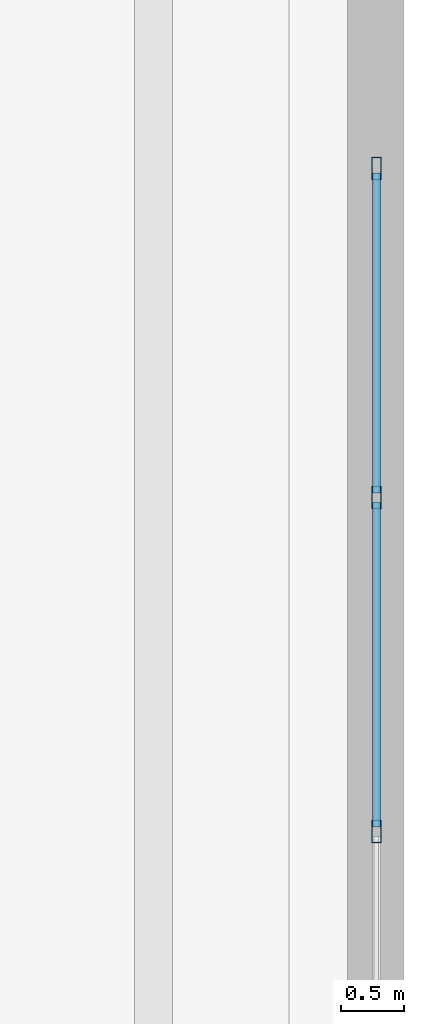
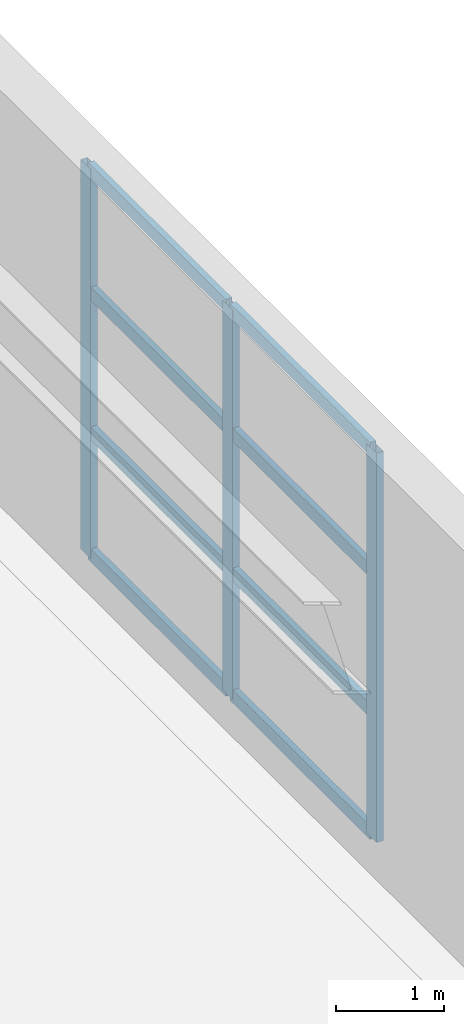
# One storey, part 16 of 35: 11 members, 1 element without a shape of its own.
"""IFC4 building model written with IfcOpenShell, lengths in metres."""

from ifc_helpers import new_model, si_unit, direction, frame, origin, origin_2d, place, context, subcontext, project, spatial, hollow_rectangle, extrude, material, layer, layer_set, material_profile, profile_set, type_object, element, aggregate, save


model = new_model("IFC4")

# Units and contexts
model_context = context("Model", 3, precision=1e-05, world=origin(), true_north=direction((0.0, 1.0)))
body_context = subcontext(model_context, "Body", "Model", "MODEL_VIEW")
ifc_project = project(units=[si_unit("LENGTHUNIT", "METRE"), si_unit("AREAUNIT", "SQUARE_METRE"), si_unit("VOLUMEUNIT", "CUBIC_METRE"), si_unit("PLANEANGLEUNIT", "RADIAN"), si_unit("MASSUNIT", "GRAM", prefix="KILO")], contexts=[model_context])

# Site, building, storey
site_placement = place(None, origin())
site = spatial("IfcSite", under=ifc_project, at=site_placement, CompositionType="ELEMENT")
building_placement = place(site_placement, origin())
building = spatial("IfcBuilding", under=site, at=building_placement, Name="Qiaolan Cultural Towers", CompositionType="ELEMENT")
storey_placement = place(building_placement, frame((0.0, 0.0, 11.5)))
storey = spatial("IfcBuildingStorey", under=building, at=storey_placement, Name="L02", CompositionType="ELEMENT", Elevation=11.5)

# Curtain wall, members
ifc_material_1 = material(Name="Unitized Anodized Aluminium Curtain Wall System", Category="aluminium")
ifc_layer = layer(ifc_material_1, 0.199951171875)
ifc_layer_set = layer_set([ifc_layer], Name="Unitized Anodized Aluminium Curtain Wall System")
curtain_wall_type = type_object("IfcCurtainWallType", Name="CWS-04", PredefinedType="NOTDEFINED", material=ifc_layer_set)
curtain_wall_placement = place(storey_placement, origin())
curtain_wall = element("IfcCurtainWall", 1, at=curtain_wall_placement, inside=storey, type_object=curtain_wall_type, Name="L02 East Exhibition Foyer Curtain Wall", PredefinedType="NOTDEFINED")
ifc_material_2 = material(Name="Extruded Aluminium 6063-T6", Category="aluminium")
ifc_material_profile_1 = material_profile(ifc_material_2, hollow_rectangle(XDim=0.074951171875, YDim=0.179931640625, WallThickness=0.00390625, at=origin_2d()), Name="CWM-180x75x4")
ifc_profile_set_1 = profile_set([ifc_material_profile_1], Name="Extruded Aluminium 6063-T6")
member_type_1 = type_object("IfcMemberType", Name="CWS-04-MUL", PredefinedType="MULLION", material=ifc_profile_set_1)
member_1_placement = place(storey_placement, frame((119.780029296875, 32.666748046875, 0.14990234375), z_axis=(0.0, 0.0, 1.0), x_axis=(-1.0, 0.0, 0.0)))
member_1 = element("IfcMember", 2, at=member_1_placement, type_object=member_type_1, Name="CW-4 mullion 2", PredefinedType="MULLION", context=body_context, shape_type="SweptSolid", body=[
    extrude(hollow_rectangle(XDim=0.074951171875, YDim=0.179931640625, WallThickness=0.00390625, at=origin_2d()), origin(), (0.0, 0.0, 1.0), 4.400146484375),
])
member_2_placement = place(storey_placement, frame((119.780029296875, 35.333251953125, 0.14990234375), z_axis=(0.0, 0.0, 1.0), x_axis=(-1.0, 0.0, 0.0)))
member_2 = element("IfcMember", 3, at=member_2_placement, type_object=member_type_1, Name="CW-4 mullion 3", PredefinedType="MULLION", context=body_context, shape_type="SweptSolid", body=[
    extrude(hollow_rectangle(XDim=0.074951171875, YDim=0.179931640625, WallThickness=0.00390625, at=origin_2d()), origin(), (0.0, 0.0, 1.0), 4.400146484375),
])
member_3_placement = place(storey_placement, frame((119.780029296875, 37.96240234375, 0.14990234375), z_axis=(0.0, 0.0, 1.0), x_axis=(-1.0, 0.0, 0.0)))
member_3 = element("IfcMember", 4, at=member_3_placement, type_object=member_type_1, Name="CW-4 mullion 4", PredefinedType="MULLION", context=body_context, shape_type="SweptSolid", body=[
    extrude(hollow_rectangle(XDim=0.074951171875, YDim=0.179931640625, WallThickness=0.00390625, at=origin_2d()), origin(), (0.0, 0.0, 1.0), 4.400146484375),
])
ifc_material_3 = material(Name="Extruded Aluminium 6063-T6", Category="aluminium")
ifc_material_profile_2 = material_profile(ifc_material_3, hollow_rectangle(XDim=0.06494140625, YDim=0.14990234375, WallThickness=0.00390625, at=origin_2d()), Name="CWT-150x65x4")
ifc_profile_set_2 = profile_set([ifc_material_profile_2], Name="Extruded Aluminium 6063-T6")
member_type_2 = type_object("IfcMemberType", Name="CWS-04-TRN", PredefinedType="USERDEFINED", material=ifc_profile_set_2)
member_4_placement = place(storey_placement, frame((119.780029296875, 32.7041015625, 0.1826171875), z_axis=(0.0, 1.0, 0.0), x_axis=(-1.0, 0.0, 0.0)))
member_4 = element("IfcMember", 5, at=member_4_placement, type_object=member_type_2, Name="CW-4 transom 2.1", ObjectType="TRANSOM", PredefinedType="USERDEFINED", context=body_context, shape_type="SweptSolid", body=[
    extrude(hollow_rectangle(XDim=0.06494140625, YDim=0.14990234375, WallThickness=0.00390625, at=origin_2d()), origin(), (0.0, 0.0, 1.0), 2.591796875),
])
member_5_placement = place(storey_placement, frame((119.780029296875, 32.7041015625, 1.56005859375), z_axis=(0.0, 1.0, 0.0), x_axis=(-1.0, 0.0, 0.0)))
member_5 = element("IfcMember", 6, at=member_5_placement, type_object=member_type_2, Name="CW-4 transom 2.2", ObjectType="TRANSOM", PredefinedType="USERDEFINED", context=body_context, shape_type="SweptSolid", body=[
    extrude(hollow_rectangle(XDim=0.06494140625, YDim=0.14990234375, WallThickness=0.00390625, at=origin_2d()), origin(), (0.0, 0.0, 1.0), 2.591796875),
])
member_6_placement = place(storey_placement, frame((119.780029296875, 32.7041015625, 3.139892578125), z_axis=(0.0, 1.0, 0.0), x_axis=(-1.0, 0.0, 0.0)))
member_6 = element("IfcMember", 7, at=member_6_placement, type_object=member_type_2, Name="CW-4 transom 2.3", ObjectType="TRANSOM", PredefinedType="USERDEFINED", context=body_context, shape_type="SweptSolid", body=[
    extrude(hollow_rectangle(XDim=0.06494140625, YDim=0.14990234375, WallThickness=0.00390625, at=origin_2d()), origin(), (0.0, 0.0, 1.0), 2.591796875),
])
member_7_placement = place(storey_placement, frame((119.780029296875, 32.7041015625, 4.517578125), z_axis=(0.0, 1.0, 0.0), x_axis=(-1.0, 0.0, 0.0)))
member_7 = element("IfcMember", 8, at=member_7_placement, type_object=member_type_2, Name="CW-4 transom 2.4", ObjectType="TRANSOM", PredefinedType="USERDEFINED", context=body_context, shape_type="SweptSolid", body=[
    extrude(hollow_rectangle(XDim=0.06494140625, YDim=0.14990234375, WallThickness=0.00390625, at=origin_2d()), origin(), (0.0, 0.0, 1.0), 2.591796875),
])
member_8_placement = place(storey_placement, frame((119.780029296875, 35.370849609375, 0.1826171875), z_axis=(0.0, 1.0, 0.0), x_axis=(-1.0, 0.0, 0.0)))
member_8 = element("IfcMember", 9, at=member_8_placement, type_object=member_type_2, Name="CW-4 transom 3.1", ObjectType="TRANSOM", PredefinedType="USERDEFINED", context=body_context, shape_type="SweptSolid", body=[
    extrude(hollow_rectangle(XDim=0.06494140625, YDim=0.14990234375, WallThickness=0.00390625, at=origin_2d()), origin(), (0.0, 0.0, 1.0), 2.55419921875),
])
member_9_placement = place(storey_placement, frame((119.780029296875, 35.370849609375, 1.56005859375), z_axis=(0.0, 1.0, 0.0), x_axis=(-1.0, 0.0, 0.0)))
member_9 = element("IfcMember", 10, at=member_9_placement, type_object=member_type_2, Name="CW-4 transom 3.2", ObjectType="TRANSOM", PredefinedType="USERDEFINED", context=body_context, shape_type="SweptSolid", body=[
    extrude(hollow_rectangle(XDim=0.06494140625, YDim=0.14990234375, WallThickness=0.00390625, at=origin_2d()), origin(), (0.0, 0.0, 1.0), 2.55419921875),
])
member_10_placement = place(storey_placement, frame((119.780029296875, 35.370849609375, 3.139892578125), z_axis=(0.0, 1.0, 0.0), x_axis=(-1.0, 0.0, 0.0)))
member_10 = element("IfcMember", 11, at=member_10_placement, type_object=member_type_2, Name="CW-4 transom 3.3", ObjectType="TRANSOM", PredefinedType="USERDEFINED", context=body_context, shape_type="SweptSolid", body=[
    extrude(hollow_rectangle(XDim=0.06494140625, YDim=0.14990234375, WallThickness=0.00390625, at=origin_2d()), origin(), (0.0, 0.0, 1.0), 2.55419921875),
])
member_11_placement = place(storey_placement, frame((119.780029296875, 35.370849609375, 4.517578125), z_axis=(0.0, 1.0, 0.0), x_axis=(-1.0, 0.0, 0.0)))
member_11 = element("IfcMember", 12, at=member_11_placement, type_object=member_type_2, Name="CW-4 transom 3.4", ObjectType="TRANSOM", PredefinedType="USERDEFINED", context=body_context, shape_type="SweptSolid", body=[
    extrude(hollow_rectangle(XDim=0.06494140625, YDim=0.14990234375, WallThickness=0.00390625, at=origin_2d()), origin(), (0.0, 0.0, 1.0), 2.55419921875),
])
aggregate(curtain_wall, [member_1, member_2, member_3, member_4, member_5, member_6, member_7, member_8, member_9, member_10, member_11])

save(model, "model.ifc")
